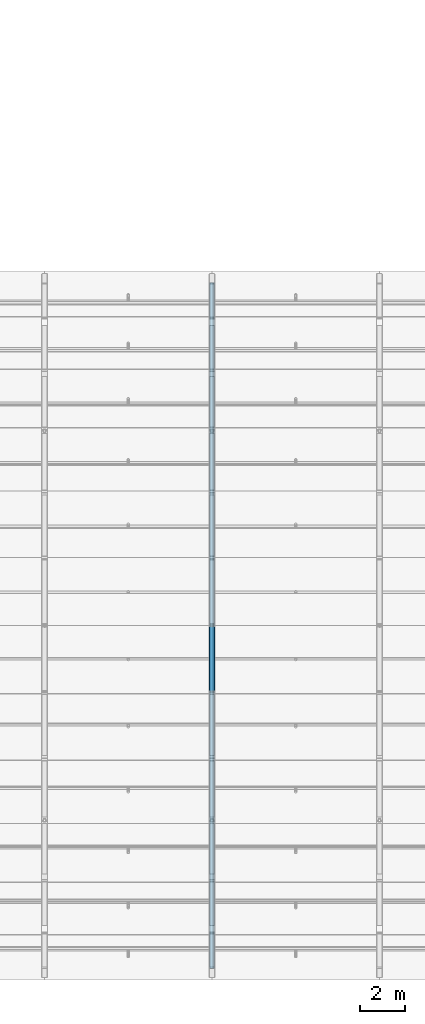
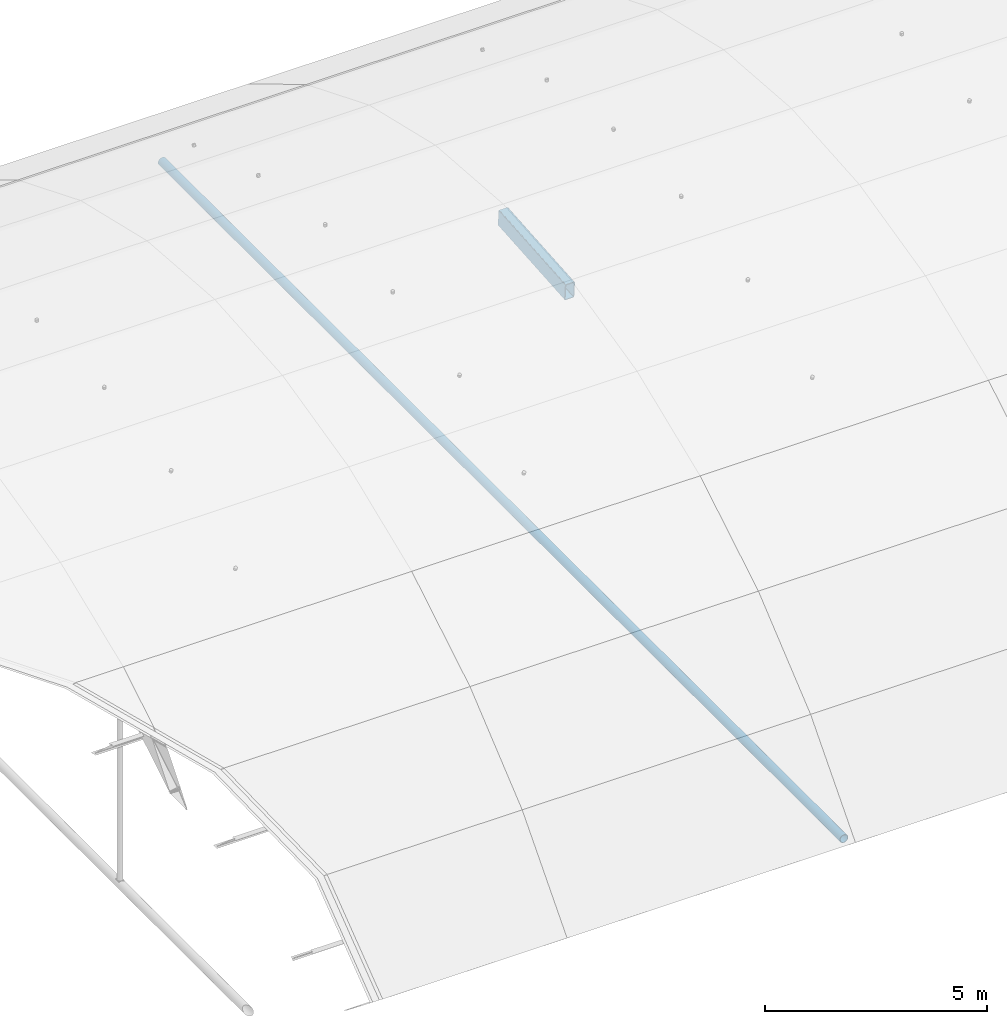
# One storey, part 20 of 77: 1 beam, 1 member.
"""IFC4 building model written with IfcOpenShell, lengths in metres."""

from ifc_helpers import new_model, si_unit, direction, frame, origin, origin_2d, place, context, subcontext, project, spatial, hollow_rectangle, hollow_circle, extrude, material, material_profile, profile_set, type_object, element, save


model = new_model("IFC4")

# Units and contexts
model_context = context("Model", 3, precision=1e-05, world=origin(), true_north=direction((0.0, 1.0)))
body_context = subcontext(model_context, "Body", "Model", "MODEL_VIEW")
ifc_project = project(units=[si_unit("LENGTHUNIT", "METRE"), si_unit("AREAUNIT", "SQUARE_METRE"), si_unit("VOLUMEUNIT", "CUBIC_METRE"), si_unit("PLANEANGLEUNIT", "RADIAN"), si_unit("MASSUNIT", "GRAM", prefix="KILO")], contexts=[model_context])

# Site, building, storey
site_placement = place(None, origin())
site = spatial("IfcSite", under=ifc_project, at=site_placement, CompositionType="ELEMENT")
building_placement = place(site_placement, origin())
building = spatial("IfcBuilding", under=site, at=building_placement, Name="Yukiwa Park Conservatory and Herbarium", CompositionType="ELEMENT")
storey_placement = place(building_placement, frame((0.0, 0.0, 13.199951171875)))
storey = spatial("IfcBuildingStorey", under=building, at=storey_placement, Name="L03", CompositionType="ELEMENT", Elevation=13.199951171875)

# Beam
ifc_material_1 = material(Name="Steel Q355D", Category="steel")
ifc_material_profile_1 = material_profile(ifc_material_1, hollow_rectangle(XDim=0.25, YDim=0.449951171875, WallThickness=0.013916015625, InnerFilletRadius=0.013916015625, OuterFilletRadius=0.028076171875, at=origin_2d()), Name="RHS 450x250x14")
ifc_profile_set_1 = profile_set([ifc_material_profile_1], Name="Steel Q355D")
beam_type = type_object("IfcBeamType", Name="BM-VLT-ARCH450", PredefinedType="BEAM", material=ifc_profile_set_1)
beam_placement = place(storey_placement, frame((37.5, 12.598388671875, 3.36767578125), z_axis=(0.0, 0.997015721433, 0.077198777292), x_axis=(-1.0, 0.0, 0.0)))
element("IfcBeam", 1, at=beam_placement, inside=storey, type_object=beam_type, Name="Conservatory barrel vault arch rib 6 chord 6", PredefinedType="BEAM", context=body_context, shape_type="SweptSolid", body=[
    extrude(hollow_rectangle(XDim=0.25, YDim=0.449951171875, WallThickness=0.013916015625, InnerFilletRadius=0.013916015625, OuterFilletRadius=0.028076171875, at=origin_2d()), origin(), (0.0, 0.0, 1.0), 3.0107421875),
])

# Member
ifc_material_2 = material(Name="Steel Q355D", Category="steel")
ifc_material_profile_2 = material_profile(ifc_material_2, hollow_circle(Radius=0.109619140625, WallThickness=0.011962890625, at=origin_2d()), Name="CHS 219.1x12")
ifc_profile_set_2 = profile_set([ifc_material_profile_2], Name="Steel Q355D")
member_type = type_object("IfcMemberType", Name="MB-VLT-TIE219", PredefinedType="COLLAR", material=ifc_profile_set_2)
member_placement = place(storey_placement, frame((37.5, 0.2451171875, -4.199951171875), z_axis=(0.0, 1.0, 0.0), x_axis=(-1.0, 0.0, 0.0)))
element("IfcMember", 2, at=member_placement, inside=storey, type_object=member_type, Name="Conservatory vault springing tension tie 6", PredefinedType="COLLAR", context=body_context, shape_type="SweptSolid", body=[
    extrude(hollow_circle(Radius=0.109619140625, WallThickness=0.011962890625, at=origin_2d()), origin(), (0.0, 0.0, 1.0), 30.7099609375),
])

save(model, "model.ifc")
